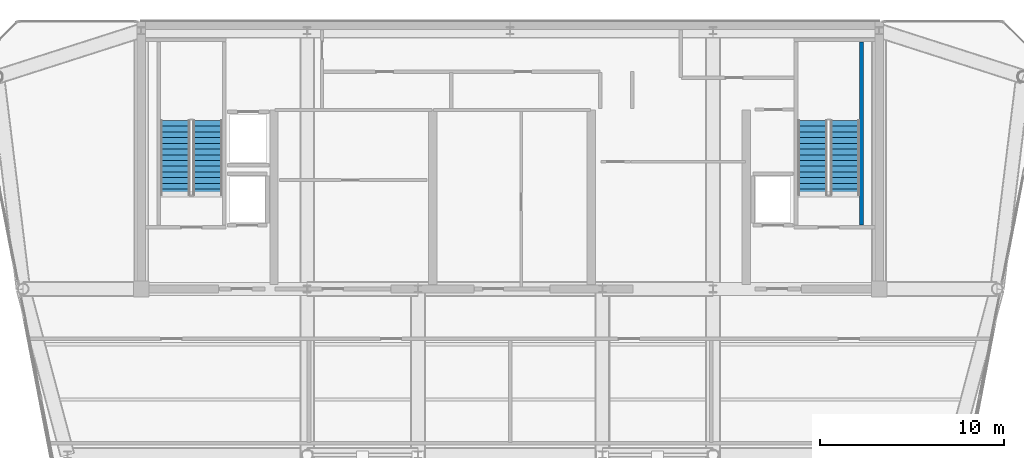
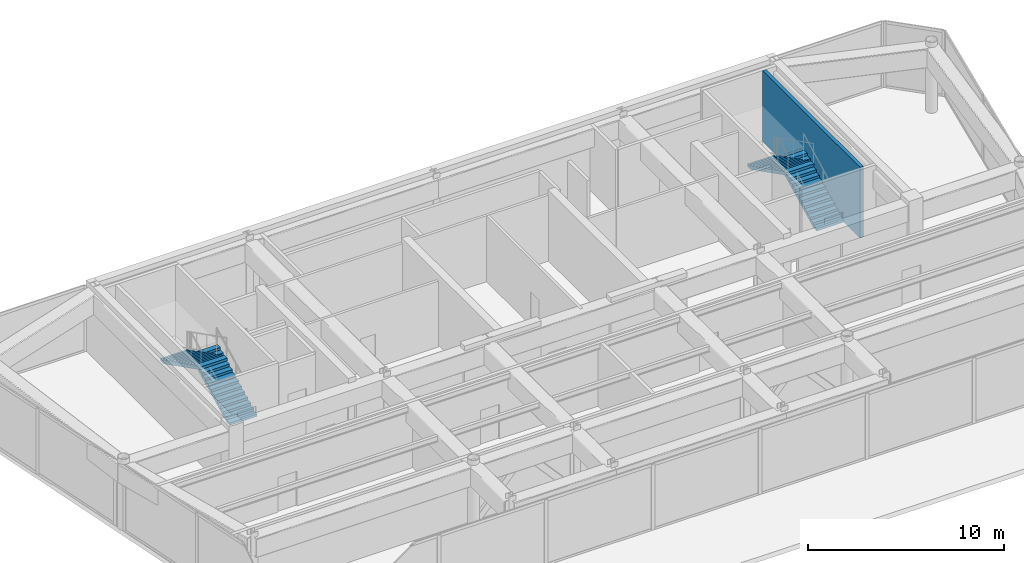
# One storey, part 9 of 12: 4 stair flights, 1 wall, 2 elements without a shape of their own.
"""IFC4 building model written with IfcOpenShell, lengths in metres."""

from ifc_helpers import new_model, si_unit, direction, frame, frame_2d, origin, place, context, subcontext, project, spatial, polyline, rectangle, outline, extrude, material, layer, layer_set, type_object, element, aggregate, save


model = new_model("IFC4")

# Units and contexts
model_context = context("Model", 3, precision=1e-05, world=origin(), true_north=direction((0.0, 1.0)))
body_context = subcontext(model_context, "Body", "Model", "MODEL_VIEW")
ifc_project = project(units=[si_unit("LENGTHUNIT", "METRE"), si_unit("AREAUNIT", "SQUARE_METRE"), si_unit("VOLUMEUNIT", "CUBIC_METRE"), si_unit("PLANEANGLEUNIT", "RADIAN"), si_unit("MASSUNIT", "GRAM", prefix="KILO")], contexts=[model_context])

# Site, building, storey
site_placement = place(None, origin())
site = spatial("IfcSite", under=ifc_project, at=site_placement, CompositionType="ELEMENT")
building_placement = place(site_placement, origin())
building = spatial("IfcBuilding", under=site, at=building_placement, Name="Vaeldorn Concourse Tower", CompositionType="ELEMENT")
storey_placement = place(building_placement, frame((0.0, 0.0, 308.39990234375)))
storey = spatial("IfcBuildingStorey", under=building, at=storey_placement, Name="L79", CompositionType="ELEMENT", Elevation=308.39990234375)

# Wall
ifc_material_1 = material(Name="Concrete C50/60", Category="concrete")
ifc_layer = layer(ifc_material_1, 0.199951171875)
ifc_layer_set = layer_set([ifc_layer], Name="Concrete C50/60")
wall_type = type_object("IfcWallType", Name="WL-SHAFT-200", PredefinedType="SOLIDWALL", material=ifc_layer_set)
wall_placement = place(storey_placement, frame((53.050048828125, 39.9599609375, 0.0), z_axis=(0.0, 0.0, 1.0), x_axis=(0.0, 1.0, 0.0)))
element("IfcWall", 1, at=wall_placement, inside=storey, type_object=wall_type, Name="Stair Shaft Wall CW-L79-ST-2-E", PredefinedType="SOLIDWALL", context=body_context, shape_type="SweptSolid", body=[
    extrude(rectangle(XDim=9.929931640625, YDim=0.199951171875, at=frame_2d((4.96484375, 0.0))), origin(), (0.0, 0.0, 1.0), 4.400146484375),
])

# Stair, stair flights
ifc_material_2 = material(Name="Precast concrete C40/50", Category="concrete")
stair_type = type_object("IfcStairType", Name="STR-DOG-28x157", PredefinedType="HALF_TURN_STAIR", material=ifc_material_2)
stair_1_placement = place(storey_placement, origin())
stair_1 = element("IfcStair", 2, at=stair_1_placement, inside=storey, type_object=stair_type, Name="L79 West Core Exit Stair ST-1", PredefinedType="HALF_TURN_STAIR")
stair_flight_type = type_object("IfcStairFlightType", Name="STF-STR-14x157", PredefinedType="STRAIGHT", material=ifc_material_2)
stair_flight_1_placement = place(storey_placement, frame((17.60009765625, 41.60009765625, 0.0), z_axis=(0.0, 0.0, 1.0), x_axis=(0.0, 1.0, 0.0)))
stair_flight_1 = element("IfcStairFlight", 3, at=stair_flight_1_placement, type_object=stair_flight_type, Name="ST-1 flight 1", NumberOfRisers=14, NumberOfTreads=13, PredefinedType="STRAIGHT", RiserHeight=0.157142857, TreadLength=0.31, context=body_context, shape_type="SweptSolid", body=[
    extrude(outline(polyline([(0.0, 0.0), (0.0, 0.1572265625), (0.31005859375, 0.1572265625), (0.31005859375, 0.314208984375), (0.6201171875, 0.314208984375), (0.6201171875, 0.471435546875), (0.929931640625, 0.471435546875), (0.929931640625, 0.628662109375), (1.239990234375, 0.628662109375), (1.239990234375, 0.78564453125), (1.550048828125, 0.78564453125), (1.550048828125, 0.94287109375), (1.860107421875, 0.94287109375), (1.860107421875, 1.10009765625), (2.169921875, 1.10009765625), (2.169921875, 1.257080078125), (2.47998046875, 1.257080078125), (2.47998046875, 1.414306640625), (2.7900390625, 1.414306640625), (2.7900390625, 1.571533203125), (3.10009765625, 1.571533203125), (3.10009765625, 1.728515625), (3.409912109375, 1.728515625), (3.409912109375, 1.8857421875), (3.719970703125, 1.8857421875), (3.719970703125, 2.04296875), (4.030029296875, 2.04296875), (4.030029296875, 2.199951171875), (4.030029296875, 1.874755859375), (0.33154296875, 0.0), (0.0, 0.0)])), frame((0.0, 0.800048828125, 0.0), z_axis=(0.0, -1.0, 0.0), x_axis=(1.0, 0.0, 0.0)), (0.0, 0.0, 1.0), 1.60009765625),
])
stair_flight_2_placement = place(storey_placement, frame((15.85009765625, 45.6298828125, 2.2001953125), z_axis=(0.0, 0.0, 1.0), x_axis=(0.0, -1.0, 0.0)))
stair_flight_2 = element("IfcStairFlight", 4, at=stair_flight_2_placement, type_object=stair_flight_type, Name="ST-1 flight 2", NumberOfRisers=14, NumberOfTreads=13, PredefinedType="STRAIGHT", RiserHeight=0.157142857, TreadLength=0.31, context=body_context, shape_type="SweptSolid", body=[
    extrude(outline(polyline([(0.0, 0.0), (0.0, 0.1572265625), (0.31005859375, 0.1572265625), (0.31005859375, 0.314208984375), (0.6201171875, 0.314208984375), (0.6201171875, 0.471435546875), (0.929931640625, 0.471435546875), (0.929931640625, 0.628662109375), (1.239990234375, 0.628662109375), (1.239990234375, 0.78564453125), (1.550048828125, 0.78564453125), (1.550048828125, 0.94287109375), (1.860107421875, 0.94287109375), (1.860107421875, 1.10009765625), (2.169921875, 1.10009765625), (2.169921875, 1.257080078125), (2.47998046875, 1.257080078125), (2.47998046875, 1.414306640625), (2.7900390625, 1.414306640625), (2.7900390625, 1.571533203125), (3.10009765625, 1.571533203125), (3.10009765625, 1.728515625), (3.409912109375, 1.728515625), (3.409912109375, 1.8857421875), (3.719970703125, 1.8857421875), (3.719970703125, 2.04296875), (4.030029296875, 2.04296875), (4.030029296875, 2.199951171875), (4.030029296875, 1.874755859375), (0.33154296875, 0.0), (0.0, 0.0)])), frame((0.0, 0.800048828125, 0.0), z_axis=(0.0, -1.0, 0.0), x_axis=(1.0, 0.0, 0.0)), (0.0, 0.0, 1.0), 1.60009765625),
])
aggregate(stair_1, [stair_flight_1, stair_flight_2])

stair_2_placement = place(storey_placement, origin())
stair_2 = element("IfcStair", 5, at=stair_2_placement, inside=storey, type_object=stair_type, Name="L79 East Core Exit Stair ST-2", PredefinedType="HALF_TURN_STAIR")
stair_flight_3_placement = place(storey_placement, frame((52.14990234375, 41.60009765625, 0.0), z_axis=(0.0, 0.0, 1.0), x_axis=(0.0, 1.0, 0.0)))
stair_flight_3 = element("IfcStairFlight", 6, at=stair_flight_3_placement, type_object=stair_flight_type, Name="ST-2 flight 1", NumberOfRisers=14, NumberOfTreads=13, PredefinedType="STRAIGHT", RiserHeight=0.157142857, TreadLength=0.31, context=body_context, shape_type="SweptSolid", body=[
    extrude(outline(polyline([(0.0, 0.0), (0.0, 0.1572265625), (0.31005859375, 0.1572265625), (0.31005859375, 0.314208984375), (0.6201171875, 0.314208984375), (0.6201171875, 0.471435546875), (0.929931640625, 0.471435546875), (0.929931640625, 0.628662109375), (1.239990234375, 0.628662109375), (1.239990234375, 0.78564453125), (1.550048828125, 0.78564453125), (1.550048828125, 0.94287109375), (1.860107421875, 0.94287109375), (1.860107421875, 1.10009765625), (2.169921875, 1.10009765625), (2.169921875, 1.257080078125), (2.47998046875, 1.257080078125), (2.47998046875, 1.414306640625), (2.7900390625, 1.414306640625), (2.7900390625, 1.571533203125), (3.10009765625, 1.571533203125), (3.10009765625, 1.728515625), (3.409912109375, 1.728515625), (3.409912109375, 1.8857421875), (3.719970703125, 1.8857421875), (3.719970703125, 2.04296875), (4.030029296875, 2.04296875), (4.030029296875, 2.199951171875), (4.030029296875, 1.874755859375), (0.33154296875, 0.0), (0.0, 0.0)])), frame((0.0, 0.800048828125, 0.0), z_axis=(0.0, -1.0, 0.0), x_axis=(1.0, 0.0, 0.0)), (0.0, 0.0, 1.0), 1.60009765625),
])
stair_flight_4_placement = place(storey_placement, frame((50.39990234375, 45.6298828125, 2.2001953125), z_axis=(0.0, 0.0, 1.0), x_axis=(0.0, -1.0, 0.0)))
stair_flight_4 = element("IfcStairFlight", 7, at=stair_flight_4_placement, type_object=stair_flight_type, Name="ST-2 flight 2", NumberOfRisers=14, NumberOfTreads=13, PredefinedType="STRAIGHT", RiserHeight=0.157142857, TreadLength=0.31, context=body_context, shape_type="SweptSolid", body=[
    extrude(outline(polyline([(0.0, 0.0), (0.0, 0.1572265625), (0.31005859375, 0.1572265625), (0.31005859375, 0.314208984375), (0.6201171875, 0.314208984375), (0.6201171875, 0.471435546875), (0.929931640625, 0.471435546875), (0.929931640625, 0.628662109375), (1.239990234375, 0.628662109375), (1.239990234375, 0.78564453125), (1.550048828125, 0.78564453125), (1.550048828125, 0.94287109375), (1.860107421875, 0.94287109375), (1.860107421875, 1.10009765625), (2.169921875, 1.10009765625), (2.169921875, 1.257080078125), (2.47998046875, 1.257080078125), (2.47998046875, 1.414306640625), (2.7900390625, 1.414306640625), (2.7900390625, 1.571533203125), (3.10009765625, 1.571533203125), (3.10009765625, 1.728515625), (3.409912109375, 1.728515625), (3.409912109375, 1.8857421875), (3.719970703125, 1.8857421875), (3.719970703125, 2.04296875), (4.030029296875, 2.04296875), (4.030029296875, 2.199951171875), (4.030029296875, 1.874755859375), (0.33154296875, 0.0), (0.0, 0.0)])), frame((0.0, 0.800048828125, 0.0), z_axis=(0.0, -1.0, 0.0), x_axis=(1.0, 0.0, 0.0)), (0.0, 0.0, 1.0), 1.60009765625),
])
aggregate(stair_2, [stair_flight_3, stair_flight_4])

save(model, "model.ifc")
